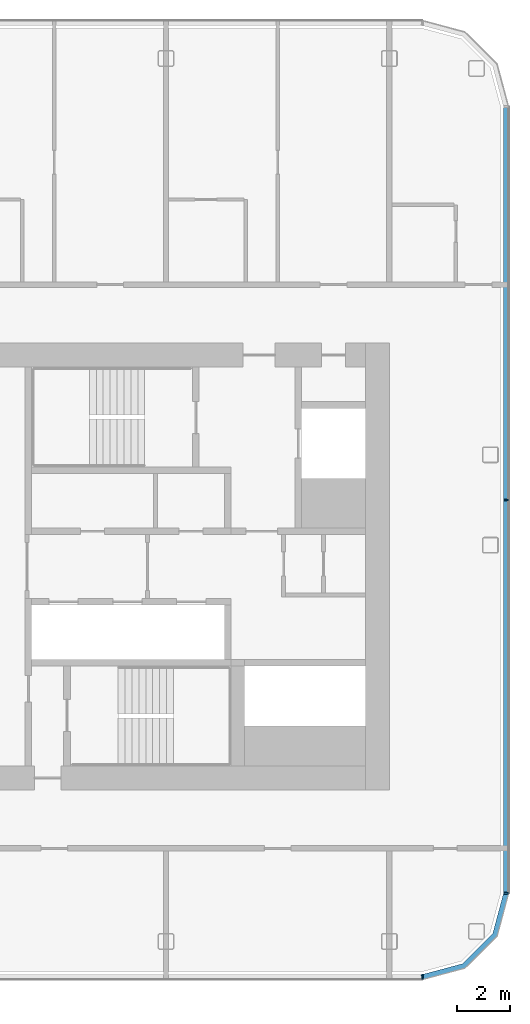
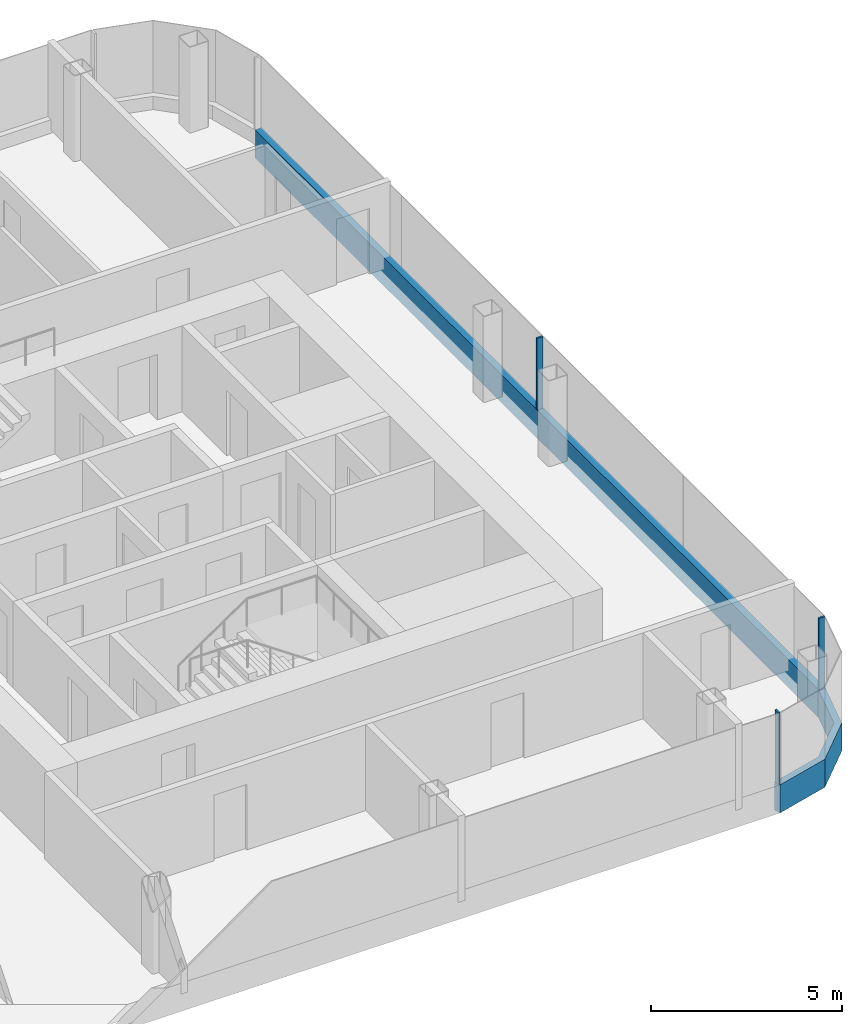
# One storey, part 10 of 26: 5 members, 3 elements without a shape of their own.
"""IFC4 building model written with IfcOpenShell, lengths in metres."""

from ifc_helpers import new_model, si_unit, direction, frame, origin, origin_2d, place, context, subcontext, project, spatial, polyline, rectangle, outline, extrude, material, layer, layer_set, material_profile, profile_set, type_object, element, aggregate, save


model = new_model("IFC4")

# Units and contexts
model_context = context("Model", 3, precision=1e-05, world=origin(), true_north=direction((0.0, 1.0)))
body_context = subcontext(model_context, "Body", "Model", "MODEL_VIEW")
ifc_project = project(units=[si_unit("LENGTHUNIT", "METRE"), si_unit("AREAUNIT", "SQUARE_METRE"), si_unit("VOLUMEUNIT", "CUBIC_METRE"), si_unit("PLANEANGLEUNIT", "RADIAN"), si_unit("MASSUNIT", "GRAM", prefix="KILO")], contexts=[model_context])

# Site, building, storey
site_placement = place(None, origin())
site = spatial("IfcSite", under=ifc_project, at=site_placement, CompositionType="ELEMENT")
building_placement = place(site_placement, origin())
building = spatial("IfcBuilding", under=site, at=building_placement, Name="Hakoniwa Tower and Hamabe Station Hall", CompositionType="ELEMENT")
storey_placement = place(building_placement, frame((0.0, 0.0, 215.39990234375)))
storey = spatial("IfcBuildingStorey", under=building, at=storey_placement, Name="L61", CompositionType="ELEMENT", Elevation=215.39990234375)

# Curtain wall, member
ifc_material_1 = material(Name="Dark low-e laminated glass", Category="glass")
ifc_layer = layer(ifc_material_1, 0.199951171875)
ifc_layer_set = layer_set([ifc_layer], Name="CW-1 UNITISED GUEST")
curtain_wall_type = type_object("IfcCurtainWallType", Name="CW-1 UNITISED GUEST", PredefinedType="NOTDEFINED", material=ifc_layer_set)
curtain_wall_1_placement = place(storey_placement, origin())
curtain_wall_1 = element("IfcCurtainWall", 1, at=curtain_wall_1_placement, inside=storey, type_object=curtain_wall_type, Name="CW-1 curtain wall", PredefinedType="NOTDEFINED")
ifc_material_2 = material(Name="Aluminium 6063-T5 black anodised", Category="aluminium")
ifc_material_profile_1 = material_profile(ifc_material_2, rectangle(XDim=0.199951171875, YDim=0.89990234375, at=origin_2d()), Name="CW SLAB-EDGE BAND 900X200")
ifc_profile_set_1 = profile_set([ifc_material_profile_1], Name="Aluminium 6063-T5 black anodised")
member_type_1 = type_object("IfcMemberType", Name="CW SLAB-EDGE BAND 900X200", PredefinedType="USERDEFINED", material=ifc_profile_set_1)
member_1_placement = place(storey_placement, frame((38.0, -12.28955078125, -0.099853515625), z_axis=(0.0, 1.0, 0.0), x_axis=(-1.0, 0.0, 0.0)))
member_1 = element("IfcMember", 2, at=member_1_placement, type_object=member_type_1, Name="CW-1 transom", ObjectType="TRANSOM", PredefinedType="USERDEFINED", context=body_context, shape_type="SweptSolid", body=[
    extrude(rectangle(XDim=0.199951171875, YDim=0.89990234375, at=origin_2d()), origin(), (0.0, 0.0, 1.0), 29.5791015625),
])

curtain_wall_2_placement = place(storey_placement, origin())
curtain_wall_2 = element("IfcCurtainWall", 3, at=curtain_wall_2_placement, inside=storey, type_object=curtain_wall_type, Name="CW-1 curtain wall", PredefinedType="NOTDEFINED")
member_2_placement = place(storey_placement, frame((0.0, 0.0, -0.5498046875)))
member_2 = element("IfcMember", 4, at=member_2_placement, type_object=member_type_1, Name="CW-1 transom", ObjectType="TRANSOM", PredefinedType="USERDEFINED", context=body_context, shape_type="SweptSolid", body=[
    extrude(outline(polyline([(34.839599609375, -15.550048828125), (36.455322265625, -15.116943359375), (37.6669921875, -13.9052734375), (38.10009765625, -12.28955078125), (37.90673828125, -12.23779296875), (37.48779296875, -13.8017578125), (36.351806640625, -14.937744140625), (34.787841796875, -15.35693359375), (34.839599609375, -15.550048828125)])), origin(), (0.0, 0.0, 1.0), 0.89990234375),
])
aggregate(curtain_wall_2, [member_2])

# Member
ifc_material_3 = material(Name="Aluminium 6063-T5 black anodised", Category="aluminium")
ifc_material_profile_2 = material_profile(ifc_material_3, rectangle(XDim=0.06005859375, YDim=0.179931640625, at=origin_2d()), Name="CW-1 MULLION 60X180")
ifc_profile_set_2 = profile_set([ifc_material_profile_2], Name="Aluminium 6063-T5 black anodised")
member_type_2 = type_object("IfcMemberType", Name="CW-1 MULLION 60X180", PredefinedType="MULLION", material=ifc_profile_set_2)
member_3_placement = place(storey_placement, frame((37.98193359375, -12.28955078125, 0.35009765625), z_axis=(0.0, 0.0, 1.0), x_axis=(0.0, 1.0, 0.0)))
member_3 = element("IfcMember", 5, at=member_3_placement, type_object=member_type_2, Name="CW-1 mullion", PredefinedType="MULLION", context=body_context, shape_type="SweptSolid", body=[
    extrude(rectangle(XDim=0.06005859375, YDim=0.179931640625, at=origin_2d()), origin(), (0.0, 0.0, 1.0), 2.300048828125),
])

member_4_placement = place(storey_placement, frame((37.98193359375, 2.5, 0.35009765625), z_axis=(0.0, 0.0, 1.0), x_axis=(0.0, 1.0, 0.0)))
member_4 = element("IfcMember", 6, at=member_4_placement, type_object=member_type_2, Name="CW-1 mullion", PredefinedType="MULLION", context=body_context, shape_type="SweptSolid", body=[
    extrude(rectangle(XDim=0.06005859375, YDim=0.179931640625, at=origin_2d()), origin(), (0.0, 0.0, 1.0), 2.300048828125),
])

aggregate(curtain_wall_1, [member_3, member_4, member_1])

# Curtain wall, member
curtain_wall_3_placement = place(storey_placement, origin())
curtain_wall_3 = element("IfcCurtainWall", 7, at=curtain_wall_3_placement, inside=storey, type_object=curtain_wall_type, Name="CW-1 curtain wall", PredefinedType="NOTDEFINED")
member_5_placement = place(storey_placement, frame((34.839599609375, -15.431884765625, 0.35009765625), z_axis=(0.0, 0.0, 1.0), x_axis=(1.0, 0.0, 0.0)))
member_5 = element("IfcMember", 8, at=member_5_placement, type_object=member_type_2, Name="CW-1 mullion", PredefinedType="MULLION", context=body_context, shape_type="SweptSolid", body=[
    extrude(rectangle(XDim=0.06005859375, YDim=0.179931640625, at=origin_2d()), origin(), (0.0, 0.0, 1.0), 2.300048828125),
])
aggregate(curtain_wall_3, [member_5])

save(model, "model.ifc")
